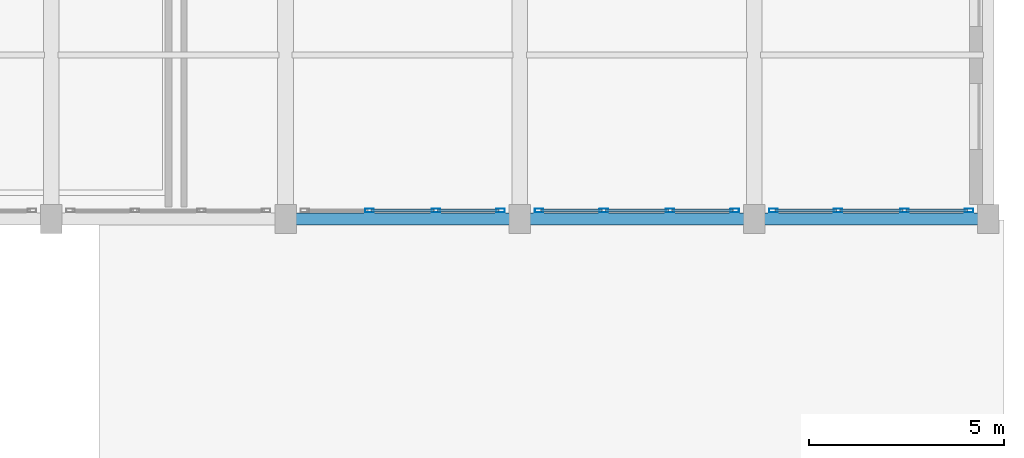
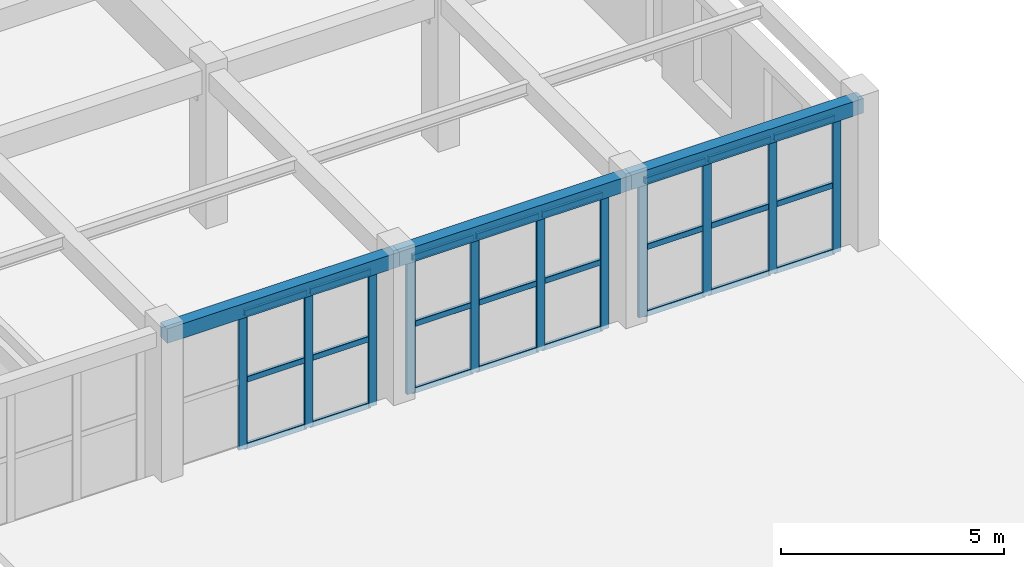
# One storey, part 46 of 92: 35 members, 3 beams, 3 elements without a shape of their own.
"""IFC4 building model written with IfcOpenShell, lengths in metres."""

from ifc_helpers import new_model, si_unit, direction, frame, origin, origin_2d, place, context, subcontext, project, spatial, rectangle, hollow_rectangle, extrude, material, layer, layer_set, material_profile, profile_set, type_object, element, aggregate, save


model = new_model("IFC4")

# Units and contexts
model_context = context("Model", 3, precision=1e-05, world=origin(), true_north=direction((0.0, 1.0)))
body_context = subcontext(model_context, "Body", "Model", "MODEL_VIEW")
ifc_project = project(units=[si_unit("LENGTHUNIT", "METRE"), si_unit("AREAUNIT", "SQUARE_METRE"), si_unit("VOLUMEUNIT", "CUBIC_METRE"), si_unit("PLANEANGLEUNIT", "RADIAN"), si_unit("MASSUNIT", "GRAM", prefix="KILO")], contexts=[model_context])

# Site, building, storey
site_placement = place(None, origin())
site = spatial("IfcSite", under=ifc_project, at=site_placement, CompositionType="ELEMENT")
building_placement = place(site_placement, origin())
building = spatial("IfcBuilding", under=site, at=building_placement, Name="Tarnavel Promenade Courthouse", CompositionType="ELEMENT")
storey_placement = place(building_placement, frame((0.0, 0.0, 5.39990234375)))
storey = spatial("IfcBuildingStorey", under=building, at=storey_placement, Name="L02", CompositionType="ELEMENT", Elevation=5.39990234375)

# Beams
ifc_material_1 = material(Name="Concrete C40/50", Category="concrete")
ifc_material_profile_1 = material_profile(ifc_material_1, rectangle(XDim=0.300048828125, YDim=0.39990234375, at=origin_2d()), Name="RC 300x400")
ifc_profile_set_1 = profile_set([ifc_material_profile_1], Name="Concrete C40/50")
beam_type = type_object("IfcBeamType", Name="Concrete C40/50 BM-SP-300x400 (RC 300x400)", PredefinedType="SPANDREL", material=ifc_profile_set_1)
for number, where, z_axis, x_axis, name in (
    (1, (144.0, 28.800048828125, 4.03515625), (1.0, 0.0, 0.0), (0.0, 1.0, 0.0), "L02 Primary Longitudinal Beam 1085"),
    (2, (150.0, 28.800048828125, 4.03515625), (1.0, 0.0, 0.0), (0.0, 1.0, 0.0), "L02 Primary Longitudinal Beam 1086"),
    (3, (156.0, 28.800048828125, 4.03515625), (1.0, 0.0, 0.0), (0.0, 1.0, 0.0), "L02 Primary Longitudinal Beam 1087"),
):
    element("IfcBeam", number, at=place(storey_placement, frame(where, z_axis=z_axis, x_axis=x_axis)), inside=storey, type_object=beam_type, Name=name, PredefinedType="SPANDREL", context=body_context, shape_type="SweptSolid", body=[
        extrude(rectangle(XDim=0.300048828125, YDim=0.39990234375, at=origin_2d()), origin(), (0.0, 0.0, 1.0), 6.0),
    ])

# Curtain wall, members
ifc_material_2 = material(Name="Thermally Broken Anodised Aluminium Curtain Wall System", Category="aluminium")
ifc_layer = layer(ifc_material_2, 0.199951171875)
ifc_layer_set = layer_set([ifc_layer], Name="Thermally Broken Anodised Aluminium Curtain Wall System")
curtain_wall_type = type_object("IfcCurtainWallType", Name="Thermally Broken Aluminium Triple-Glazed Curtain Wall CW-FOYER", PredefinedType="NOTDEFINED", material=ifc_layer_set)
curtain_wall_1_placement = place(storey_placement, origin())
curtain_wall_1 = element("IfcCurtainWall", 4, at=curtain_wall_1_placement, inside=storey, type_object=curtain_wall_type, Name="L02 Ceremonial Cloister Curtain Wall 171", PredefinedType="NOTDEFINED")
ifc_material_3 = material(Name="Thermally Broken Anodised Aluminium Frame", Category="aluminium")
ifc_material_profile_2 = material_profile(ifc_material_3, hollow_rectangle(XDim=0.090087890625, YDim=0.219970703125, WallThickness=0.0048828125, InnerFilletRadius=0.0048828125, OuterFilletRadius=0.010009765625, at=origin_2d()), Name="CWM 220x90x5")
ifc_profile_set_2 = profile_set([ifc_material_profile_2], Name="Thermally Broken Anodised Aluminium Frame")
member_type_1 = type_object("IfcMemberType", Name="Thermally Broken Anodised Aluminium CWM-175 (CWM 220x90x5)", PredefinedType="MULLION", material=ifc_profile_set_2)
member_1_placement = place(storey_placement, frame((146.14990234375, 29.02001953125, 0.0), z_axis=(0.0, 0.0, 1.0), x_axis=(0.0, 1.0, 0.0)))
member_1 = element("IfcMember", 5, at=member_1_placement, type_object=member_type_1, Name="CW-04 mullion 2", PredefinedType="MULLION", context=body_context, shape_type="SweptSolid", body=[
    extrude(hollow_rectangle(XDim=0.090087890625, YDim=0.219970703125, WallThickness=0.0048828125, InnerFilletRadius=0.0048828125, OuterFilletRadius=0.010009765625, at=origin_2d()), origin(), (0.0, 0.0, 1.0), 3.72021484375),
])
member_2_placement = place(storey_placement, frame((147.85009765625, 29.02001953125, 0.0), z_axis=(0.0, 0.0, 1.0), x_axis=(0.0, 1.0, 0.0)))
member_2 = element("IfcMember", 6, at=member_2_placement, type_object=member_type_1, Name="CW-04 mullion 3", PredefinedType="MULLION", context=body_context, shape_type="SweptSolid", body=[
    extrude(hollow_rectangle(XDim=0.090087890625, YDim=0.219970703125, WallThickness=0.0048828125, InnerFilletRadius=0.0048828125, OuterFilletRadius=0.010009765625, at=origin_2d()), origin(), (0.0, 0.0, 1.0), 3.72021484375),
])
member_3_placement = place(storey_placement, frame((149.5048828125, 29.02001953125, 0.0), z_axis=(0.0, 0.0, 1.0), x_axis=(0.0, 1.0, 0.0)))
member_3 = element("IfcMember", 7, at=member_3_placement, type_object=member_type_1, Name="CW-04 mullion 4", PredefinedType="MULLION", context=body_context, shape_type="SweptSolid", body=[
    extrude(hollow_rectangle(XDim=0.090087890625, YDim=0.219970703125, WallThickness=0.0048828125, InnerFilletRadius=0.0048828125, OuterFilletRadius=0.010009765625, at=origin_2d()), origin(), (0.0, 0.0, 1.0), 3.72021484375),
])

curtain_wall_2_placement = place(storey_placement, origin())
curtain_wall_2 = element("IfcCurtainWall", 8, at=curtain_wall_2_placement, inside=storey, type_object=curtain_wall_type, Name="L02 Ceremonial Cloister Curtain Wall 172", PredefinedType="NOTDEFINED")
member_4_placement = place(storey_placement, frame((150.4951171875, 29.02001953125, 0.0), z_axis=(0.0, 0.0, 1.0), x_axis=(0.0, 1.0, 0.0)))
member_4 = element("IfcMember", 9, at=member_4_placement, type_object=member_type_1, Name="CW-04 mullion 1", PredefinedType="MULLION", context=body_context, shape_type="SweptSolid", body=[
    extrude(hollow_rectangle(XDim=0.090087890625, YDim=0.219970703125, WallThickness=0.0048828125, InnerFilletRadius=0.0048828125, OuterFilletRadius=0.010009765625, at=origin_2d()), origin(), (0.0, 0.0, 1.0), 3.72021484375),
])
member_5_placement = place(storey_placement, frame((152.14990234375, 29.02001953125, 0.0), z_axis=(0.0, 0.0, 1.0), x_axis=(0.0, 1.0, 0.0)))
member_5 = element("IfcMember", 10, at=member_5_placement, type_object=member_type_1, Name="CW-04 mullion 2", PredefinedType="MULLION", context=body_context, shape_type="SweptSolid", body=[
    extrude(hollow_rectangle(XDim=0.090087890625, YDim=0.219970703125, WallThickness=0.0048828125, InnerFilletRadius=0.0048828125, OuterFilletRadius=0.010009765625, at=origin_2d()), origin(), (0.0, 0.0, 1.0), 3.72021484375),
])
member_6_placement = place(storey_placement, frame((153.85009765625, 29.02001953125, 0.0), z_axis=(0.0, 0.0, 1.0), x_axis=(0.0, 1.0, 0.0)))
member_6 = element("IfcMember", 11, at=member_6_placement, type_object=member_type_1, Name="CW-04 mullion 3", PredefinedType="MULLION", context=body_context, shape_type="SweptSolid", body=[
    extrude(hollow_rectangle(XDim=0.090087890625, YDim=0.219970703125, WallThickness=0.0048828125, InnerFilletRadius=0.0048828125, OuterFilletRadius=0.010009765625, at=origin_2d()), origin(), (0.0, 0.0, 1.0), 3.72021484375),
])
member_7_placement = place(storey_placement, frame((155.5048828125, 29.02001953125, 0.0), z_axis=(0.0, 0.0, 1.0), x_axis=(0.0, 1.0, 0.0)))
member_7 = element("IfcMember", 12, at=member_7_placement, type_object=member_type_1, Name="CW-04 mullion 4", PredefinedType="MULLION", context=body_context, shape_type="SweptSolid", body=[
    extrude(hollow_rectangle(XDim=0.090087890625, YDim=0.219970703125, WallThickness=0.0048828125, InnerFilletRadius=0.0048828125, OuterFilletRadius=0.010009765625, at=origin_2d()), origin(), (0.0, 0.0, 1.0), 3.72021484375),
])

curtain_wall_3_placement = place(storey_placement, origin())
curtain_wall_3 = element("IfcCurtainWall", 13, at=curtain_wall_3_placement, inside=storey, type_object=curtain_wall_type, Name="L02 Ceremonial Cloister Curtain Wall 173", PredefinedType="NOTDEFINED")
member_8_placement = place(storey_placement, frame((156.4951171875, 29.02001953125, 0.0), z_axis=(0.0, 0.0, 1.0), x_axis=(0.0, 1.0, 0.0)))
member_8 = element("IfcMember", 14, at=member_8_placement, type_object=member_type_1, Name="CW-04 mullion 1", PredefinedType="MULLION", context=body_context, shape_type="SweptSolid", body=[
    extrude(hollow_rectangle(XDim=0.090087890625, YDim=0.219970703125, WallThickness=0.0048828125, InnerFilletRadius=0.0048828125, OuterFilletRadius=0.010009765625, at=origin_2d()), origin(), (0.0, 0.0, 1.0), 3.72021484375),
])
member_9_placement = place(storey_placement, frame((158.14990234375, 29.02001953125, 0.0), z_axis=(0.0, 0.0, 1.0), x_axis=(0.0, 1.0, 0.0)))
member_9 = element("IfcMember", 15, at=member_9_placement, type_object=member_type_1, Name="CW-04 mullion 2", PredefinedType="MULLION", context=body_context, shape_type="SweptSolid", body=[
    extrude(hollow_rectangle(XDim=0.090087890625, YDim=0.219970703125, WallThickness=0.0048828125, InnerFilletRadius=0.0048828125, OuterFilletRadius=0.010009765625, at=origin_2d()), origin(), (0.0, 0.0, 1.0), 3.72021484375),
])
member_10_placement = place(storey_placement, frame((159.85009765625, 29.02001953125, 0.0), z_axis=(0.0, 0.0, 1.0), x_axis=(0.0, 1.0, 0.0)))
member_10 = element("IfcMember", 16, at=member_10_placement, type_object=member_type_1, Name="CW-04 mullion 3", PredefinedType="MULLION", context=body_context, shape_type="SweptSolid", body=[
    extrude(hollow_rectangle(XDim=0.090087890625, YDim=0.219970703125, WallThickness=0.0048828125, InnerFilletRadius=0.0048828125, OuterFilletRadius=0.010009765625, at=origin_2d()), origin(), (0.0, 0.0, 1.0), 3.72021484375),
])
member_11_placement = place(storey_placement, frame((161.5048828125, 29.02001953125, 0.0), z_axis=(0.0, 0.0, 1.0), x_axis=(0.0, 1.0, 0.0)))
member_11 = element("IfcMember", 17, at=member_11_placement, type_object=member_type_1, Name="CW-04 mullion 4", PredefinedType="MULLION", context=body_context, shape_type="SweptSolid", body=[
    extrude(hollow_rectangle(XDim=0.090087890625, YDim=0.219970703125, WallThickness=0.0048828125, InnerFilletRadius=0.0048828125, OuterFilletRadius=0.010009765625, at=origin_2d()), origin(), (0.0, 0.0, 1.0), 3.72021484375),
])

# Member
ifc_material_profile_3 = material_profile(ifc_material_3, hollow_rectangle(XDim=0.080078125, YDim=0.159912109375, WallThickness=0.0048828125, InnerFilletRadius=0.0048828125, OuterFilletRadius=0.010009765625, at=origin_2d()), Name="CWT 160x80x5")
ifc_profile_set_3 = profile_set([ifc_material_profile_3], Name="Thermally Broken Anodised Aluminium Frame")
member_type_2 = type_object("IfcMemberType", Name="Thermally Broken Anodised Aluminium CWT-145 (CWT 160x80x5)", PredefinedType="USERDEFINED", material=ifc_profile_set_3)
member_12_placement = place(storey_placement, frame((146.195068359375, 29.02001953125, 0.0400390625), z_axis=(1.0, 0.0, 0.0), x_axis=(0.0, 1.0, 0.0)))
member_12 = element("IfcMember", 18, at=member_12_placement, type_object=member_type_2, Name="CW-04 transom 2.1", ObjectType="TRANSOM", PredefinedType="USERDEFINED", context=body_context, shape_type="SweptSolid", body=[
    extrude(hollow_rectangle(XDim=0.080078125, YDim=0.159912109375, WallThickness=0.0048828125, InnerFilletRadius=0.0048828125, OuterFilletRadius=0.010009765625, at=origin_2d()), origin(), (0.0, 0.0, 1.0), 1.60986328125),
])

member_13_placement = place(storey_placement, frame((146.195068359375, 29.02001953125, 1.860107421875), z_axis=(1.0, 0.0, 0.0), x_axis=(0.0, 1.0, 0.0)))
member_13 = element("IfcMember", 19, at=member_13_placement, type_object=member_type_2, Name="CW-04 transom 2.2", ObjectType="TRANSOM", PredefinedType="USERDEFINED", context=body_context, shape_type="SweptSolid", body=[
    extrude(hollow_rectangle(XDim=0.080078125, YDim=0.159912109375, WallThickness=0.0048828125, InnerFilletRadius=0.0048828125, OuterFilletRadius=0.010009765625, at=origin_2d()), origin(), (0.0, 0.0, 1.0), 1.60986328125),
])

member_14_placement = place(storey_placement, frame((146.195068359375, 29.02001953125, 3.68017578125), z_axis=(1.0, 0.0, 0.0), x_axis=(0.0, 1.0, 0.0)))
member_14 = element("IfcMember", 20, at=member_14_placement, type_object=member_type_2, Name="CW-04 transom 2.3", ObjectType="TRANSOM", PredefinedType="USERDEFINED", context=body_context, shape_type="SweptSolid", body=[
    extrude(hollow_rectangle(XDim=0.080078125, YDim=0.159912109375, WallThickness=0.0048828125, InnerFilletRadius=0.0048828125, OuterFilletRadius=0.010009765625, at=origin_2d()), origin(), (0.0, 0.0, 1.0), 1.60986328125),
])

member_15_placement = place(storey_placement, frame((147.89501953125, 29.02001953125, 0.0400390625), z_axis=(1.0, 0.0, 0.0), x_axis=(0.0, 1.0, 0.0)))
member_15 = element("IfcMember", 21, at=member_15_placement, type_object=member_type_2, Name="CW-04 transom 3.1", ObjectType="TRANSOM", PredefinedType="USERDEFINED", context=body_context, shape_type="SweptSolid", body=[
    extrude(hollow_rectangle(XDim=0.080078125, YDim=0.159912109375, WallThickness=0.0048828125, InnerFilletRadius=0.0048828125, OuterFilletRadius=0.010009765625, at=origin_2d()), origin(), (0.0, 0.0, 1.0), 1.56494140625),
])

member_16_placement = place(storey_placement, frame((147.89501953125, 29.02001953125, 1.860107421875), z_axis=(1.0, 0.0, 0.0), x_axis=(0.0, 1.0, 0.0)))
member_16 = element("IfcMember", 22, at=member_16_placement, type_object=member_type_2, Name="CW-04 transom 3.2", ObjectType="TRANSOM", PredefinedType="USERDEFINED", context=body_context, shape_type="SweptSolid", body=[
    extrude(hollow_rectangle(XDim=0.080078125, YDim=0.159912109375, WallThickness=0.0048828125, InnerFilletRadius=0.0048828125, OuterFilletRadius=0.010009765625, at=origin_2d()), origin(), (0.0, 0.0, 1.0), 1.56494140625),
])

member_17_placement = place(storey_placement, frame((147.89501953125, 29.02001953125, 3.68017578125), z_axis=(1.0, 0.0, 0.0), x_axis=(0.0, 1.0, 0.0)))
member_17 = element("IfcMember", 23, at=member_17_placement, type_object=member_type_2, Name="CW-04 transom 3.3", ObjectType="TRANSOM", PredefinedType="USERDEFINED", context=body_context, shape_type="SweptSolid", body=[
    extrude(hollow_rectangle(XDim=0.080078125, YDim=0.159912109375, WallThickness=0.0048828125, InnerFilletRadius=0.0048828125, OuterFilletRadius=0.010009765625, at=origin_2d()), origin(), (0.0, 0.0, 1.0), 1.56494140625),
])

aggregate(curtain_wall_1, [member_1, member_2, member_3, member_12, member_13, member_14, member_15, member_16, member_17])

member_18_placement = place(storey_placement, frame((150.5400390625, 29.02001953125, 0.0400390625), z_axis=(1.0, 0.0, 0.0), x_axis=(0.0, 1.0, 0.0)))
member_18 = element("IfcMember", 24, at=member_18_placement, type_object=member_type_2, Name="CW-04 transom 1.1", ObjectType="TRANSOM", PredefinedType="USERDEFINED", context=body_context, shape_type="SweptSolid", body=[
    extrude(hollow_rectangle(XDim=0.080078125, YDim=0.159912109375, WallThickness=0.0048828125, InnerFilletRadius=0.0048828125, OuterFilletRadius=0.010009765625, at=origin_2d()), origin(), (0.0, 0.0, 1.0), 1.56494140625),
])

member_19_placement = place(storey_placement, frame((150.5400390625, 29.02001953125, 1.860107421875), z_axis=(1.0, 0.0, 0.0), x_axis=(0.0, 1.0, 0.0)))
member_19 = element("IfcMember", 25, at=member_19_placement, type_object=member_type_2, Name="CW-04 transom 1.2", ObjectType="TRANSOM", PredefinedType="USERDEFINED", context=body_context, shape_type="SweptSolid", body=[
    extrude(hollow_rectangle(XDim=0.080078125, YDim=0.159912109375, WallThickness=0.0048828125, InnerFilletRadius=0.0048828125, OuterFilletRadius=0.010009765625, at=origin_2d()), origin(), (0.0, 0.0, 1.0), 1.56494140625),
])

member_20_placement = place(storey_placement, frame((150.5400390625, 29.02001953125, 3.68017578125), z_axis=(1.0, 0.0, 0.0), x_axis=(0.0, 1.0, 0.0)))
member_20 = element("IfcMember", 26, at=member_20_placement, type_object=member_type_2, Name="CW-04 transom 1.3", ObjectType="TRANSOM", PredefinedType="USERDEFINED", context=body_context, shape_type="SweptSolid", body=[
    extrude(hollow_rectangle(XDim=0.080078125, YDim=0.159912109375, WallThickness=0.0048828125, InnerFilletRadius=0.0048828125, OuterFilletRadius=0.010009765625, at=origin_2d()), origin(), (0.0, 0.0, 1.0), 1.56494140625),
])

member_21_placement = place(storey_placement, frame((152.195068359375, 29.02001953125, 0.0400390625), z_axis=(1.0, 0.0, 0.0), x_axis=(0.0, 1.0, 0.0)))
member_21 = element("IfcMember", 27, at=member_21_placement, type_object=member_type_2, Name="CW-04 transom 2.1", ObjectType="TRANSOM", PredefinedType="USERDEFINED", context=body_context, shape_type="SweptSolid", body=[
    extrude(hollow_rectangle(XDim=0.080078125, YDim=0.159912109375, WallThickness=0.0048828125, InnerFilletRadius=0.0048828125, OuterFilletRadius=0.010009765625, at=origin_2d()), origin(), (0.0, 0.0, 1.0), 1.60986328125),
])

member_22_placement = place(storey_placement, frame((152.195068359375, 29.02001953125, 1.860107421875), z_axis=(1.0, 0.0, 0.0), x_axis=(0.0, 1.0, 0.0)))
member_22 = element("IfcMember", 28, at=member_22_placement, type_object=member_type_2, Name="CW-04 transom 2.2", ObjectType="TRANSOM", PredefinedType="USERDEFINED", context=body_context, shape_type="SweptSolid", body=[
    extrude(hollow_rectangle(XDim=0.080078125, YDim=0.159912109375, WallThickness=0.0048828125, InnerFilletRadius=0.0048828125, OuterFilletRadius=0.010009765625, at=origin_2d()), origin(), (0.0, 0.0, 1.0), 1.60986328125),
])

member_23_placement = place(storey_placement, frame((152.195068359375, 29.02001953125, 3.68017578125), z_axis=(1.0, 0.0, 0.0), x_axis=(0.0, 1.0, 0.0)))
member_23 = element("IfcMember", 29, at=member_23_placement, type_object=member_type_2, Name="CW-04 transom 2.3", ObjectType="TRANSOM", PredefinedType="USERDEFINED", context=body_context, shape_type="SweptSolid", body=[
    extrude(hollow_rectangle(XDim=0.080078125, YDim=0.159912109375, WallThickness=0.0048828125, InnerFilletRadius=0.0048828125, OuterFilletRadius=0.010009765625, at=origin_2d()), origin(), (0.0, 0.0, 1.0), 1.60986328125),
])

member_24_placement = place(storey_placement, frame((153.89501953125, 29.02001953125, 0.0400390625), z_axis=(1.0, 0.0, 0.0), x_axis=(0.0, 1.0, 0.0)))
member_24 = element("IfcMember", 30, at=member_24_placement, type_object=member_type_2, Name="CW-04 transom 3.1", ObjectType="TRANSOM", PredefinedType="USERDEFINED", context=body_context, shape_type="SweptSolid", body=[
    extrude(hollow_rectangle(XDim=0.080078125, YDim=0.159912109375, WallThickness=0.0048828125, InnerFilletRadius=0.0048828125, OuterFilletRadius=0.010009765625, at=origin_2d()), origin(), (0.0, 0.0, 1.0), 1.56494140625),
])

member_25_placement = place(storey_placement, frame((153.89501953125, 29.02001953125, 1.860107421875), z_axis=(1.0, 0.0, 0.0), x_axis=(0.0, 1.0, 0.0)))
member_25 = element("IfcMember", 31, at=member_25_placement, type_object=member_type_2, Name="CW-04 transom 3.2", ObjectType="TRANSOM", PredefinedType="USERDEFINED", context=body_context, shape_type="SweptSolid", body=[
    extrude(hollow_rectangle(XDim=0.080078125, YDim=0.159912109375, WallThickness=0.0048828125, InnerFilletRadius=0.0048828125, OuterFilletRadius=0.010009765625, at=origin_2d()), origin(), (0.0, 0.0, 1.0), 1.56494140625),
])

member_26_placement = place(storey_placement, frame((153.89501953125, 29.02001953125, 3.68017578125), z_axis=(1.0, 0.0, 0.0), x_axis=(0.0, 1.0, 0.0)))
member_26 = element("IfcMember", 32, at=member_26_placement, type_object=member_type_2, Name="CW-04 transom 3.3", ObjectType="TRANSOM", PredefinedType="USERDEFINED", context=body_context, shape_type="SweptSolid", body=[
    extrude(hollow_rectangle(XDim=0.080078125, YDim=0.159912109375, WallThickness=0.0048828125, InnerFilletRadius=0.0048828125, OuterFilletRadius=0.010009765625, at=origin_2d()), origin(), (0.0, 0.0, 1.0), 1.56494140625),
])

aggregate(curtain_wall_2, [member_4, member_5, member_6, member_7, member_18, member_19, member_20, member_21, member_22, member_23, member_24, member_25, member_26])

member_27_placement = place(storey_placement, frame((156.5400390625, 29.02001953125, 0.0400390625), z_axis=(1.0, 0.0, 0.0), x_axis=(0.0, 1.0, 0.0)))
member_27 = element("IfcMember", 33, at=member_27_placement, type_object=member_type_2, Name="CW-04 transom 1.1", ObjectType="TRANSOM", PredefinedType="USERDEFINED", context=body_context, shape_type="SweptSolid", body=[
    extrude(hollow_rectangle(XDim=0.080078125, YDim=0.159912109375, WallThickness=0.0048828125, InnerFilletRadius=0.0048828125, OuterFilletRadius=0.010009765625, at=origin_2d()), origin(), (0.0, 0.0, 1.0), 1.56494140625),
])

member_28_placement = place(storey_placement, frame((156.5400390625, 29.02001953125, 1.860107421875), z_axis=(1.0, 0.0, 0.0), x_axis=(0.0, 1.0, 0.0)))
member_28 = element("IfcMember", 34, at=member_28_placement, type_object=member_type_2, Name="CW-04 transom 1.2", ObjectType="TRANSOM", PredefinedType="USERDEFINED", context=body_context, shape_type="SweptSolid", body=[
    extrude(hollow_rectangle(XDim=0.080078125, YDim=0.159912109375, WallThickness=0.0048828125, InnerFilletRadius=0.0048828125, OuterFilletRadius=0.010009765625, at=origin_2d()), origin(), (0.0, 0.0, 1.0), 1.56494140625),
])

member_29_placement = place(storey_placement, frame((156.5400390625, 29.02001953125, 3.68017578125), z_axis=(1.0, 0.0, 0.0), x_axis=(0.0, 1.0, 0.0)))
member_29 = element("IfcMember", 35, at=member_29_placement, type_object=member_type_2, Name="CW-04 transom 1.3", ObjectType="TRANSOM", PredefinedType="USERDEFINED", context=body_context, shape_type="SweptSolid", body=[
    extrude(hollow_rectangle(XDim=0.080078125, YDim=0.159912109375, WallThickness=0.0048828125, InnerFilletRadius=0.0048828125, OuterFilletRadius=0.010009765625, at=origin_2d()), origin(), (0.0, 0.0, 1.0), 1.56494140625),
])

member_30_placement = place(storey_placement, frame((158.195068359375, 29.02001953125, 0.0400390625), z_axis=(1.0, 0.0, 0.0), x_axis=(0.0, 1.0, 0.0)))
member_30 = element("IfcMember", 36, at=member_30_placement, type_object=member_type_2, Name="CW-04 transom 2.1", ObjectType="TRANSOM", PredefinedType="USERDEFINED", context=body_context, shape_type="SweptSolid", body=[
    extrude(hollow_rectangle(XDim=0.080078125, YDim=0.159912109375, WallThickness=0.0048828125, InnerFilletRadius=0.0048828125, OuterFilletRadius=0.010009765625, at=origin_2d()), origin(), (0.0, 0.0, 1.0), 1.60986328125),
])

member_31_placement = place(storey_placement, frame((158.195068359375, 29.02001953125, 1.860107421875), z_axis=(1.0, 0.0, 0.0), x_axis=(0.0, 1.0, 0.0)))
member_31 = element("IfcMember", 37, at=member_31_placement, type_object=member_type_2, Name="CW-04 transom 2.2", ObjectType="TRANSOM", PredefinedType="USERDEFINED", context=body_context, shape_type="SweptSolid", body=[
    extrude(hollow_rectangle(XDim=0.080078125, YDim=0.159912109375, WallThickness=0.0048828125, InnerFilletRadius=0.0048828125, OuterFilletRadius=0.010009765625, at=origin_2d()), origin(), (0.0, 0.0, 1.0), 1.60986328125),
])

member_32_placement = place(storey_placement, frame((158.195068359375, 29.02001953125, 3.68017578125), z_axis=(1.0, 0.0, 0.0), x_axis=(0.0, 1.0, 0.0)))
member_32 = element("IfcMember", 38, at=member_32_placement, type_object=member_type_2, Name="CW-04 transom 2.3", ObjectType="TRANSOM", PredefinedType="USERDEFINED", context=body_context, shape_type="SweptSolid", body=[
    extrude(hollow_rectangle(XDim=0.080078125, YDim=0.159912109375, WallThickness=0.0048828125, InnerFilletRadius=0.0048828125, OuterFilletRadius=0.010009765625, at=origin_2d()), origin(), (0.0, 0.0, 1.0), 1.60986328125),
])

member_33_placement = place(storey_placement, frame((159.89501953125, 29.02001953125, 0.0400390625), z_axis=(1.0, 0.0, 0.0), x_axis=(0.0, 1.0, 0.0)))
member_33 = element("IfcMember", 39, at=member_33_placement, type_object=member_type_2, Name="CW-04 transom 3.1", ObjectType="TRANSOM", PredefinedType="USERDEFINED", context=body_context, shape_type="SweptSolid", body=[
    extrude(hollow_rectangle(XDim=0.080078125, YDim=0.159912109375, WallThickness=0.0048828125, InnerFilletRadius=0.0048828125, OuterFilletRadius=0.010009765625, at=origin_2d()), origin(), (0.0, 0.0, 1.0), 1.56494140625),
])

member_34_placement = place(storey_placement, frame((159.89501953125, 29.02001953125, 1.860107421875), z_axis=(1.0, 0.0, 0.0), x_axis=(0.0, 1.0, 0.0)))
member_34 = element("IfcMember", 40, at=member_34_placement, type_object=member_type_2, Name="CW-04 transom 3.2", ObjectType="TRANSOM", PredefinedType="USERDEFINED", context=body_context, shape_type="SweptSolid", body=[
    extrude(hollow_rectangle(XDim=0.080078125, YDim=0.159912109375, WallThickness=0.0048828125, InnerFilletRadius=0.0048828125, OuterFilletRadius=0.010009765625, at=origin_2d()), origin(), (0.0, 0.0, 1.0), 1.56494140625),
])

member_35_placement = place(storey_placement, frame((159.89501953125, 29.02001953125, 3.68017578125), z_axis=(1.0, 0.0, 0.0), x_axis=(0.0, 1.0, 0.0)))
member_35 = element("IfcMember", 41, at=member_35_placement, type_object=member_type_2, Name="CW-04 transom 3.3", ObjectType="TRANSOM", PredefinedType="USERDEFINED", context=body_context, shape_type="SweptSolid", body=[
    extrude(hollow_rectangle(XDim=0.080078125, YDim=0.159912109375, WallThickness=0.0048828125, InnerFilletRadius=0.0048828125, OuterFilletRadius=0.010009765625, at=origin_2d()), origin(), (0.0, 0.0, 1.0), 1.56494140625),
])

aggregate(curtain_wall_3, [member_8, member_9, member_10, member_11, member_27, member_28, member_29, member_30, member_31, member_32, member_33, member_34, member_35])

save(model, "model.ifc")
